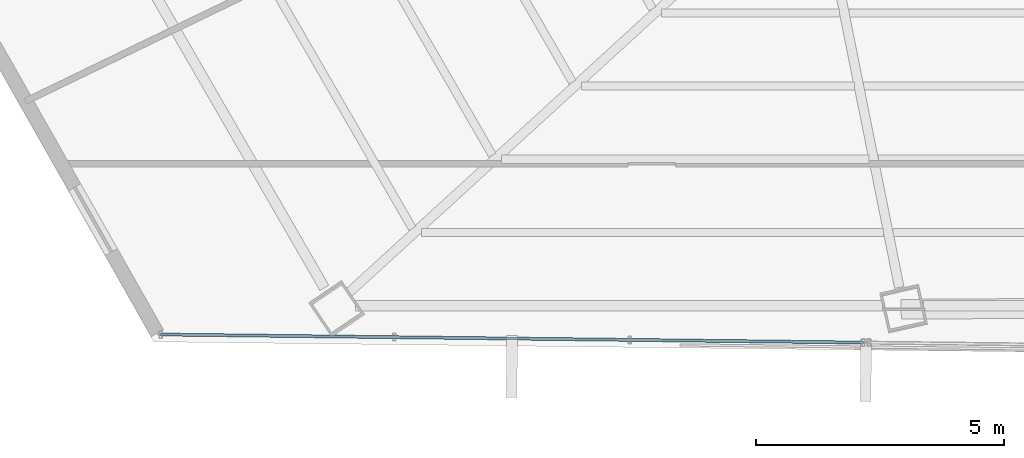
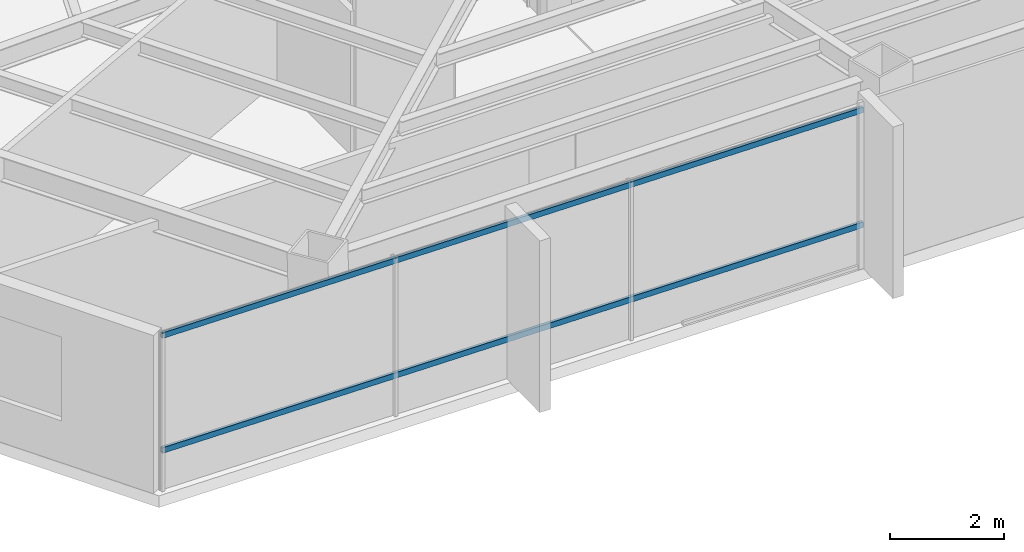
# One storey, part 4 of 40: 2 members, 1 element without a shape of its own.
"""IFC4 building model written with IfcOpenShell, lengths in metres."""

from ifc_helpers import new_model, si_unit, direction, frame, origin, origin_2d, place, context, subcontext, project, spatial, hollow_rectangle, extrude, source, transform, mapped, material, material_profile, profile_set, type_object, type_shapes, element, aggregate, save


model = new_model("IFC4")

# Units and contexts
model_context = context("Model", 3, precision=1e-05, world=origin(), true_north=direction((0.0, 1.0)))
body_context = subcontext(model_context, "Body", "Model", "MODEL_VIEW")
ifc_project = project(units=[si_unit("LENGTHUNIT", "METRE"), si_unit("AREAUNIT", "SQUARE_METRE"), si_unit("VOLUMEUNIT", "CUBIC_METRE"), si_unit("PLANEANGLEUNIT", "RADIAN"), si_unit("MASSUNIT", "GRAM", prefix="KILO")], contexts=[model_context])

# Site, building, storey
site_placement = place(None, origin())
site = spatial("IfcSite", under=ifc_project, at=site_placement, CompositionType="ELEMENT")
building_placement = place(site_placement, origin())
building = spatial("IfcBuilding", under=site, at=building_placement, Name="Caelisora Broadcast Tower", CompositionType="ELEMENT")
storey_placement = place(building_placement, frame((0.0, 0.0, 213.25)))
storey = spatial("IfcBuildingStorey", under=building, at=storey_placement, Name="L56", CompositionType="ELEMENT", Elevation=213.25)

# Curtain wall, members
ifc_material_1 = material(Name="Unitised Aluminium and Low-E Glass Curtain Wall", Category="glass")
curtain_wall_type = type_object("IfcCurtainWallType", Name="CW-Z4", PredefinedType="NOTDEFINED", material=ifc_material_1)
curtain_wall_placement = place(storey_placement, origin())
curtain_wall = element("IfcCurtainWall", 1, at=curtain_wall_placement, inside=storey, type_object=curtain_wall_type, Name="L56 curtain wall CW-Z4", PredefinedType="NOTDEFINED")
ifc_material_2 = material(Name="Aluminium 6063-T6 Anodised Terracotta Bronze", Category="aluminium")
ifc_material_profile = material_profile(ifc_material_2, hollow_rectangle(XDim=0.06005859375, YDim=0.1201171875, WallThickness=0.0029296875, at=origin_2d()), Name="Aluminium 6063-T6 Anodised Terracotta Bronze")
ifc_profile_set = profile_set([ifc_material_profile], Name="Aluminium 6063-T6 Anodised Terracotta Bronze")
member_type = type_object("IfcMemberType", Name="CWT-03", PredefinedType="USERDEFINED", material=ifc_profile_set)
shared_shape = source(origin(), body_context, "Body", "SweptSolid", [
    extrude(hollow_rectangle(XDim=0.06005859375, YDim=0.1201171875, WallThickness=0.0029296875, at=origin_2d()), origin(), (0.0, 0.0, 1.0), 14.167236328125),
])
type_shapes(member_type, [shared_shape])
member_1_placement = place(storey_placement, frame((31.476318359375, 7.805908203125, 0.85009765625), z_axis=(-0.999934136432, 0.011477055319, 0.0), x_axis=(-0.011477055319, -0.999934136432, 0.0)))
member_1 = element("IfcMember", 2, at=member_1_placement, type_object=member_type, Name="L56-CW-B07 transom #1", ObjectType="TRANSOM", PredefinedType="USERDEFINED", context=body_context, shape_type="MappedRepresentation", body=[
    mapped(shared_shape, transform((0.0, 0.0, 0.0), scale=1.0)),
])
member_2_placement = place(storey_placement, frame((31.476318359375, 7.805908203125, 3.320068359375), z_axis=(-0.999934136432, 0.011477055319, 0.0), x_axis=(-0.011477055319, -0.999934136432, 0.0)))
member_2 = element("IfcMember", 3, at=member_2_placement, type_object=member_type, Name="L56-CW-B07 transom #2", ObjectType="TRANSOM", PredefinedType="USERDEFINED", context=body_context, shape_type="MappedRepresentation", body=[
    mapped(shared_shape, transform((0.0, 0.0, 0.0), scale=1.0)),
])
aggregate(curtain_wall, [member_1, member_2])

save(model, "model.ifc")
